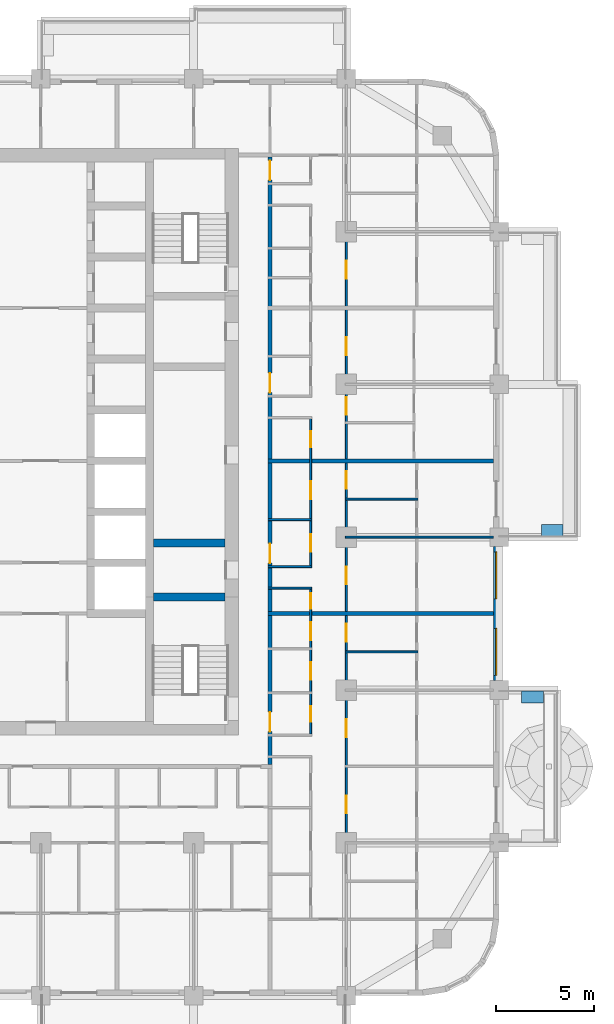
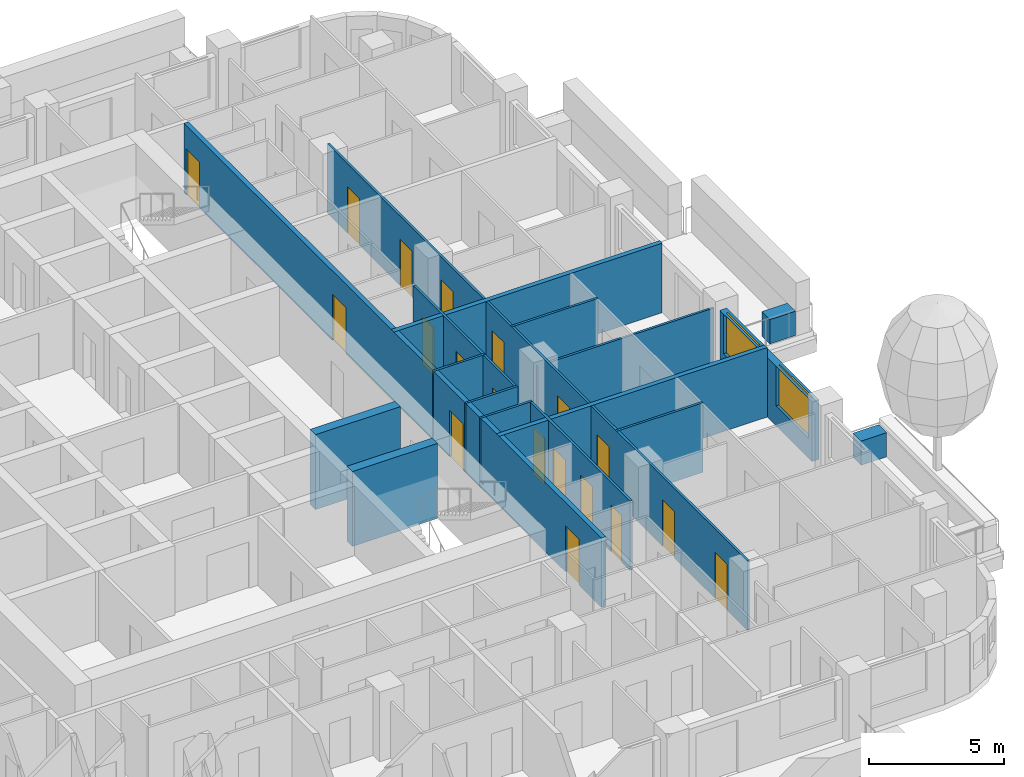
# One storey, part 9 of 19: 19 doors, 17 walls, 2 windows, 21 openings.
"""IFC4 building model written with IfcOpenShell, lengths in metres."""

from ifc_helpers import new_model, si_unit, direction, frame, frame_2d, origin, place, context, subcontext, project, spatial, rectangle, extrude, material, layer, layer_set, type_object, element, fill, save


model = new_model("IFC4")

# Units and contexts
model_context = context("Model", 3, precision=1e-05, world=origin(), true_north=direction((0.0, 1.0)))
body_context = subcontext(model_context, "Body", "Model", "MODEL_VIEW")
ifc_project = project(units=[si_unit("LENGTHUNIT", "METRE"), si_unit("AREAUNIT", "SQUARE_METRE"), si_unit("VOLUMEUNIT", "CUBIC_METRE"), si_unit("PLANEANGLEUNIT", "RADIAN"), si_unit("MASSUNIT", "GRAM", prefix="KILO")], contexts=[model_context])

# Site, building, storey
site_placement = place(None, origin())
site = spatial("IfcSite", under=ifc_project, at=site_placement, CompositionType="ELEMENT")
building_placement = place(site_placement, origin())
building = spatial("IfcBuilding", under=site, at=building_placement, Name="Ludao Terraces", CompositionType="ELEMENT")
storey_placement = place(building_placement, frame((0.0, 0.0, 81.800048828125)))
storey = spatial("IfcBuildingStorey", under=building, at=storey_placement, Name="L22", CompositionType="ELEMENT", Elevation=81.800048828125)

# Walls
ifc_material_1 = material(Name="Concrete C40", Category="concrete")
ifc_layer_1 = layer(ifc_material_1, 0.60009765625)
ifc_layer_set_1 = layer_set([ifc_layer_1], Name="ENV Planter trough 600")
wall_type_1 = type_object("IfcWallType", Name="ENV Planter trough 600", PredefinedType="USERDEFINED", material=ifc_layer_set_1)
for number, where, z_axis, x_axis, name in (
    (1, (110.64990234375, 56.85009765625, 0.0), (0.0, 0.0, 1.0), (-1.0, 0.0, 0.0), "PL-L22-E1-SB"),
    (2, (111.64990234375, 65.35009765625, 0.0), (0.0, 0.0, 1.0), (-1.0, 0.0, 0.0), "PL-L22-E3-SA"),
):
    element("IfcWall", number, at=place(storey_placement, frame(where, z_axis=z_axis, x_axis=x_axis)), inside=storey, type_object=wall_type_1, Name=name, ObjectType="PLANTER", PredefinedType="USERDEFINED", context=body_context, shape_type="SweptSolid", body=[
        extrude(rectangle(XDim=1.099853515625, YDim=0.60009765625, at=frame_2d((0.5498046875, 0.0))), origin(), (0.0, 0.0, 1.0), 1.099853515625),
    ])

# Wall, openings, windows
ifc_material_2 = material(Name="Granite cladding", Category="masonry")
ifc_layer_2 = layer(ifc_material_2, 0.0400390625, Category="stone")
ifc_material_3 = material(Name="Mineral wool")
ifc_layer_3 = layer(ifc_material_3, 0.06005859375)
ifc_layer_4 = layer(ifc_material_1, 0.199951171875, Category="concrete")
ifc_layer_set_2 = layer_set([ifc_layer_2, ifc_layer_3, ifc_layer_4], Name="ENV Stone-clad wall 300")
wall_type_2 = type_object("IfcWallType", Name="ENV Stone-clad wall 300", PredefinedType="SOLIDWALL", material=ifc_layer_set_2)
wall_1_placement = place(storey_placement, frame((108.25, 57.675048828125, 0.0), z_axis=(0.0, 0.0, 1.0), x_axis=(0.0, 1.0, 0.0)))
wall_1 = element("IfcWall", 3, at=wall_1_placement, inside=storey, type_object=wall_type_2, Name="EW-L22-E3", PredefinedType="SOLIDWALL", context=body_context, shape_type="SweptSolid", body=[
    extrude(rectangle(XDim=6.849853515625, YDim=0.300048828125, at=frame_2d((3.4248046875, 0.0))), origin(), (0.0, 0.0, 1.0), 2.699951171875),
])
opening_1_placement = place(wall_1_placement, frame((0.27490234375, 0.0, 0.89990234375)))
opening_1 = element("IfcOpeningElement", 4, at=opening_1_placement, cuts=wall_1, Name="Opening W1", PredefinedType="OPENING", context=body_context, shape_type="SweptSolid", body=[
    extrude(rectangle(XDim=2.39990234375, YDim=1.800048828125, at=frame_2d((1.199951171875, 0.89990234375))), frame((0.0, 0.16015625, 0.0), z_axis=(0.0, -1.0, 0.0), x_axis=(1.0, 0.0, 0.0)), (0.0, 0.0, 1.0), 0.320068359375),
])
opening_2_placement = place(wall_1_placement, frame((4.175048828125, 0.0, 0.89990234375)))
opening_2 = element("IfcOpeningElement", 5, at=opening_2_placement, cuts=wall_1, Name="Opening W1", PredefinedType="OPENING", context=body_context, shape_type="SweptSolid", body=[
    extrude(rectangle(XDim=2.39990234375, YDim=1.800048828125, at=frame_2d((1.199951171875, 0.89990234375))), frame((0.0, 0.16015625, 0.0), z_axis=(0.0, -1.0, 0.0), x_axis=(1.0, 0.0, 0.0)), (0.0, 0.0, 1.0), 0.320068359375),
])
ifc_material_4 = material(Name="Clear glass in aluminium frame", Category="aluminium")
ifc_layer_5 = layer(ifc_material_4, 0.06005859375)
ifc_layer_set_3 = layer_set([ifc_layer_5], Name="ENV Window W1 2400x1800")
window_type = type_object("IfcWindowType", Name="ENV Window W1 2400x1800", PartitioningType="DOUBLE_PANEL_VERTICAL", PredefinedType="WINDOW", material=ifc_layer_set_3)
window_1_placement = place(opening_1_placement, origin())
window_1 = element("IfcWindow", 6, at=window_1_placement, inside=storey, type_object=window_type, Name="W-L22-E3-1", OverallHeight=1.800048828125, OverallWidth=2.39990234375, PartitioningType="DOUBLE_PANEL_VERTICAL", PredefinedType="WINDOW", context=body_context, shape_type="SweptSolid", body=[
    extrude(rectangle(XDim=2.39990234375, YDim=1.800048828125, at=frame_2d((1.199951171875, 0.89990234375))), frame((0.0, 0.030029296875, 0.0), z_axis=(0.0, -1.0, 0.0), x_axis=(1.0, 0.0, 0.0)), (0.0, 0.0, 1.0), 0.06005859375),
])
fill(opening_1, window_1)
window_2_placement = place(opening_2_placement, origin())
window_2 = element("IfcWindow", 7, at=window_2_placement, inside=storey, type_object=window_type, Name="W-L22-E3-2", OverallHeight=1.800048828125, OverallWidth=2.39990234375, PartitioningType="DOUBLE_PANEL_VERTICAL", PredefinedType="WINDOW", context=body_context, shape_type="SweptSolid", body=[
    extrude(rectangle(XDim=2.39990234375, YDim=1.800048828125, at=frame_2d((1.199951171875, 0.89990234375))), frame((0.0, 0.030029296875, 0.0), z_axis=(0.0, -1.0, 0.0), x_axis=(1.0, 0.0, 0.0)), (0.0, 0.0, 1.0), 0.06005859375),
])
fill(opening_2, window_2)

# Wall, openings, doors
ifc_material_5 = material(Name="Autoclaved aerated concrete block B06 A3.5", Category="concrete")
ifc_layer_6 = layer(ifc_material_5, 0.199951171875)
ifc_layer_set_4 = layer_set([ifc_layer_6], Name="INT Entrance wall 200")
wall_type_3 = type_object("IfcWallType", Name="INT Entrance wall 200", PredefinedType="PARTITIONING", material=ifc_layer_set_4)
wall_2_placement = place(storey_placement, frame((96.699951171875, 53.400146484375, 0.0), z_axis=(0.0, 0.0, 1.0), x_axis=(0.0, 1.0, 0.0)))
wall_2 = element("IfcWall", 8, at=wall_2_placement, inside=storey, type_object=wall_type_3, Name="PW-L22-PW116", PredefinedType="PARTITIONING", context=body_context, shape_type="SweptSolid", body=[
    extrude(rectangle(XDim=31.0, YDim=0.199951171875, at=frame_2d((15.5, 0.0))), origin(), (0.0, 0.0, 1.0), 3.14990234375),
])
opening_3_placement = place(wall_2_placement, frame((1.675048828125, 0.0, 0.0)))
opening_3 = element("IfcOpeningElement", 9, at=opening_3_placement, cuts=wall_2, Name="Opening R06-056", PredefinedType="OPENING", context=body_context, shape_type="SweptSolid", body=[
    extrude(rectangle(XDim=1.0, YDim=2.10009765625, at=frame_2d((0.5, 1.050048828125))), frame((0.0, 0.10986328125, 0.0), z_axis=(0.0, -1.0, 0.0), x_axis=(1.0, 0.0, 0.0)), (0.0, 0.0, 1.0), 0.219970703125),
])
opening_4_placement = place(wall_2_placement, frame((10.27490234375, 0.0, 0.0)))
opening_4 = element("IfcOpeningElement", 10, at=opening_4_placement, cuts=wall_2, Name="Opening R06-083", PredefinedType="OPENING", context=body_context, shape_type="SweptSolid", body=[
    extrude(rectangle(XDim=1.0, YDim=2.10009765625, at=frame_2d((0.5, 1.050048828125))), frame((0.0, 0.10986328125, 0.0), z_axis=(0.0, -1.0, 0.0), x_axis=(1.0, 0.0, 0.0)), (0.0, 0.0, 1.0), 0.219970703125),
])
opening_5_placement = place(wall_2_placement, frame((18.97509765625, 0.0, 0.0)))
opening_5 = element("IfcOpeningElement", 11, at=opening_5_placement, cuts=wall_2, Name="Opening R06-112", PredefinedType="OPENING", context=body_context, shape_type="SweptSolid", body=[
    extrude(rectangle(XDim=1.0, YDim=2.10009765625, at=frame_2d((0.5, 1.050048828125))), frame((0.0, 0.10986328125, 0.0), z_axis=(0.0, -1.0, 0.0), x_axis=(1.0, 0.0, 0.0)), (0.0, 0.0, 1.0), 0.219970703125),
])
opening_6_placement = place(wall_2_placement, frame((29.824951171875, 0.0, 0.0)))
opening_6 = element("IfcOpeningElement", 12, at=opening_6_placement, cuts=wall_2, Name="Opening R06-152", PredefinedType="OPENING", context=body_context, shape_type="SweptSolid", body=[
    extrude(rectangle(XDim=1.0, YDim=2.10009765625, at=frame_2d((0.5, 1.050048828125))), frame((0.0, 0.10986328125, 0.0), z_axis=(0.0, -1.0, 0.0), x_axis=(1.0, 0.0, 0.0)), (0.0, 0.0, 1.0), 0.219970703125),
])
ifc_material_6 = material(Name="Steel Q235", Category="steel")
door_type_1 = type_object("IfcDoorType", Name="INT Flat entrance door 1000", OperationType="SINGLE_SWING_LEFT", PredefinedType="DOOR", material=ifc_material_6)
door_1_placement = place(opening_3_placement, origin())
door_1 = element("IfcDoor", 13, at=door_1_placement, inside=storey, type_object=door_type_1, Name="DOOR 056", OperationType="SINGLE_SWING_LEFT", OverallHeight=2.10009765625, OverallWidth=1.0, PredefinedType="DOOR", context=body_context, shape_type="SweptSolid", body=[
    extrude(rectangle(XDim=1.0, YDim=2.10009765625, at=frame_2d((0.5, 1.050048828125))), frame((0.0, 0.02490234375, 0.0), z_axis=(0.0, -1.0, 0.0), x_axis=(1.0, 0.0, 0.0)), (0.0, 0.0, 1.0), 0.050048828125),
])
fill(opening_3, door_1)
door_2_placement = place(opening_4_placement, origin())
door_2 = element("IfcDoor", 14, at=door_2_placement, inside=storey, type_object=door_type_1, Name="DOOR 083", OperationType="SINGLE_SWING_LEFT", OverallHeight=2.10009765625, OverallWidth=1.0, PredefinedType="DOOR", context=body_context, shape_type="SweptSolid", body=[
    extrude(rectangle(XDim=1.0, YDim=2.10009765625, at=frame_2d((0.5, 1.050048828125))), frame((0.0, 0.02490234375, 0.0), z_axis=(0.0, -1.0, 0.0), x_axis=(1.0, 0.0, 0.0)), (0.0, 0.0, 1.0), 0.050048828125),
])
fill(opening_4, door_2)
door_3_placement = place(opening_5_placement, origin())
door_3 = element("IfcDoor", 15, at=door_3_placement, inside=storey, type_object=door_type_1, Name="DOOR 112", OperationType="SINGLE_SWING_LEFT", OverallHeight=2.10009765625, OverallWidth=1.0, PredefinedType="DOOR", context=body_context, shape_type="SweptSolid", body=[
    extrude(rectangle(XDim=1.0, YDim=2.10009765625, at=frame_2d((0.5, 1.050048828125))), frame((0.0, 0.02490234375, 0.0), z_axis=(0.0, -1.0, 0.0), x_axis=(1.0, 0.0, 0.0)), (0.0, 0.0, 1.0), 0.050048828125),
])
fill(opening_5, door_3)
door_4_placement = place(opening_6_placement, origin())
door_4 = element("IfcDoor", 16, at=door_4_placement, inside=storey, type_object=door_type_1, Name="DOOR 152", OperationType="SINGLE_SWING_LEFT", OverallHeight=2.10009765625, OverallWidth=1.0, PredefinedType="DOOR", context=body_context, shape_type="SweptSolid", body=[
    extrude(rectangle(XDim=1.0, YDim=2.10009765625, at=frame_2d((0.5, 1.050048828125))), frame((0.0, 0.02490234375, 0.0), z_axis=(0.0, -1.0, 0.0), x_axis=(1.0, 0.0, 0.0)), (0.0, 0.0, 1.0), 0.050048828125),
])
fill(opening_6, door_4)

# Walls
ifc_material_7 = material(Name="Gypsum plasterboard", Category="gypsum")
ifc_layer_7 = layer(ifc_material_7, 0.012451171875, Category="gypsum")
ifc_layer_8 = layer(ifc_material_3, 0.06005859375, Name="insulation")
ifc_layer_9 = layer(ifc_material_6, 0.014892578125, Name="stud")
ifc_layer_10 = layer(ifc_material_7, 0.012451171875, Category="gypsum")
ifc_layer_set_5 = layer_set([ifc_layer_7, ifc_layer_8, ifc_layer_9, ifc_layer_10], Name="INT Partition 100")
wall_type_4 = type_object("IfcWallType", Name="INT Partition 100", PredefinedType="PARTITIONING", material=ifc_layer_set_5)
wall_3_placement = place(storey_placement, frame((100.550048828125, 59.14990234375, 0.0), z_axis=(0.0, 0.0, 1.0), x_axis=(1.0, 0.0, 0.0)))
element("IfcWall", 17, at=wall_3_placement, inside=storey, type_object=wall_type_4, Name="PW-L22-PW031", PredefinedType="PARTITIONING", context=body_context, shape_type="SweptSolid", body=[
    extrude(rectangle(XDim=3.699951171875, YDim=0.10009765625, at=frame_2d((1.85009765625, 0.0))), origin(), (0.0, 0.0, 1.0), 3.14990234375),
])
for number, where, z_axis, x_axis, name in (
    (18, (96.60009765625, 62.39990234375, 0.0), (0.0, 0.0, 1.0), (1.0, 0.0, 0.0), "PW-L22-PW036"),
    (19, (96.60009765625, 63.5, 0.0), (0.0, 0.0, 1.0), (1.0, 0.0, 0.0), "PW-L22-PW038"),
):
    element("IfcWall", number, at=place(storey_placement, frame(where, z_axis=z_axis, x_axis=x_axis)), inside=storey, type_object=wall_type_4, Name=name, PredefinedType="PARTITIONING", context=body_context, shape_type="SweptSolid", body=[
        extrude(rectangle(XDim=2.219970703125, YDim=0.10009765625, at=frame_2d((1.10986328125, 0.0))), origin(), (0.0, 0.0, 1.0), 3.14990234375),
    ])
wall_4_placement = place(storey_placement, frame((100.550048828125, 65.0, 0.0), z_axis=(0.0, 0.0, 1.0), x_axis=(1.0, 0.0, 0.0)))
element("IfcWall", 20, at=wall_4_placement, inside=storey, type_object=wall_type_4, Name="PW-L22-PW041", PredefinedType="PARTITIONING", context=body_context, shape_type="SweptSolid", body=[
    extrude(rectangle(XDim=7.550048828125, YDim=0.10009765625, at=frame_2d((3.77490234375, 0.0))), origin(), (0.0, 0.0, 1.0), 2.5498046875),
])
wall_5_placement = place(storey_placement, frame((96.60009765625, 65.89990234375, 0.0), z_axis=(0.0, 0.0, 1.0), x_axis=(1.0, 0.0, 0.0)))
element("IfcWall", 21, at=wall_5_placement, inside=storey, type_object=wall_type_4, Name="PW-L22-PW043", PredefinedType="PARTITIONING", context=body_context, shape_type="SweptSolid", body=[
    extrude(rectangle(XDim=2.219970703125, YDim=0.10009765625, at=frame_2d((1.10986328125, 0.0))), origin(), (0.0, 0.0, 1.0), 3.14990234375),
])
wall_6_placement = place(storey_placement, frame((100.550048828125, 66.949951171875, 0.0), z_axis=(0.0, 0.0, 1.0), x_axis=(1.0, 0.0, 0.0)))
element("IfcWall", 22, at=wall_6_placement, inside=storey, type_object=wall_type_4, Name="PW-L22-PW046", PredefinedType="PARTITIONING", context=body_context, shape_type="SweptSolid", body=[
    extrude(rectangle(XDim=3.699951171875, YDim=0.10009765625, at=frame_2d((1.85009765625, 0.0))), origin(), (0.0, 0.0, 1.0), 3.14990234375),
])

# Wall, openings, doors
wall_7_placement = place(storey_placement, frame((98.77001953125, 54.9501953125, 0.0), z_axis=(0.0, 0.0, 1.0), x_axis=(0.0, 1.0, 0.0)))
wall_7 = element("IfcWall", 23, at=wall_7_placement, inside=storey, type_object=wall_type_4, Name="PW-L22-PW119", PredefinedType="PARTITIONING", context=body_context, shape_type="SweptSolid", body=[
    extrude(rectangle(XDim=7.39990234375, YDim=0.10009765625, at=frame_2d((3.699951171875, 0.0))), origin(), (0.0, 0.0, 1.0), 3.14990234375),
])
opening_7_placement = place(wall_7_placement, frame((0.625, 0.0, 0.0)))
opening_7 = element("IfcOpeningElement", 24, at=opening_7_placement, cuts=wall_7, Name="Opening R06-058", PredefinedType="OPENING", context=body_context, shape_type="SweptSolid", body=[
    extrude(rectangle(XDim=0.800048828125, YDim=2.10009765625, at=frame_2d((0.39990234375, 1.050048828125))), frame((0.0, 0.06005859375, 0.0), z_axis=(0.0, -1.0, 0.0), x_axis=(1.0, 0.0, 0.0)), (0.0, 0.0, 1.0), 0.1201171875),
])
opening_8_placement = place(wall_7_placement, frame((2.77490234375, 0.0, 0.0)))
opening_8 = element("IfcOpeningElement", 25, at=opening_8_placement, cuts=wall_7, Name="Opening R06-064", PredefinedType="OPENING", context=body_context, shape_type="SweptSolid", body=[
    extrude(rectangle(XDim=0.89990234375, YDim=2.10009765625, at=frame_2d((0.449951171875, 1.050048828125))), frame((0.0, 0.06005859375, 0.0), z_axis=(0.0, -1.0, 0.0), x_axis=(1.0, 0.0, 0.0)), (0.0, 0.0, 1.0), 0.1201171875),
])
opening_9_placement = place(wall_7_placement, frame((4.7998046875, 0.0, 0.0)))
opening_9 = element("IfcOpeningElement", 26, at=opening_9_placement, cuts=wall_7, Name="Opening R06-071", PredefinedType="OPENING", context=body_context, shape_type="SweptSolid", body=[
    extrude(rectangle(XDim=0.89990234375, YDim=2.10009765625, at=frame_2d((0.449951171875, 1.050048828125))), frame((0.0, 0.06005859375, 0.0), z_axis=(0.0, -1.0, 0.0), x_axis=(1.0, 0.0, 0.0)), (0.0, 0.0, 1.0), 0.1201171875),
])
opening_10_placement = place(wall_7_placement, frame((6.39990234375, 0.0, 0.0)))
opening_10 = element("IfcOpeningElement", 27, at=opening_10_placement, cuts=wall_7, Name="Opening R06-073", PredefinedType="OPENING", context=body_context, shape_type="SweptSolid", body=[
    extrude(rectangle(XDim=0.800048828125, YDim=2.10009765625, at=frame_2d((0.39990234375, 1.050048828125))), frame((0.0, 0.06005859375, 0.0), z_axis=(0.0, -1.0, 0.0), x_axis=(1.0, 0.0, 0.0)), (0.0, 0.0, 1.0), 0.1201171875),
])
ifc_material_8 = material(Name="Timber door leaf", Category="wood")
door_type_2 = type_object("IfcDoorType", Name="INT Bathroom door 900", OperationType="SINGLE_SWING_LEFT", PredefinedType="DOOR", material=ifc_material_8)
door_5_placement = place(opening_8_placement, origin())
door_5 = element("IfcDoor", 28, at=door_5_placement, inside=storey, type_object=door_type_2, Name="DOOR 064", OperationType="SINGLE_SWING_RIGHT", OverallHeight=2.10009765625, OverallWidth=0.89990234375, PredefinedType="DOOR", context=body_context, shape_type="SweptSolid", body=[
    extrude(rectangle(XDim=0.89990234375, YDim=2.10009765625, at=frame_2d((0.449951171875, 1.050048828125))), frame((0.0, 0.02490234375, 0.0), z_axis=(0.0, -1.0, 0.0), x_axis=(1.0, 0.0, 0.0)), (0.0, 0.0, 1.0), 0.050048828125),
])
fill(opening_8, door_5)
door_6_placement = place(opening_9_placement, origin())
door_6 = element("IfcDoor", 29, at=door_6_placement, inside=storey, type_object=door_type_2, Name="DOOR 071", OperationType="SINGLE_SWING_RIGHT", OverallHeight=2.10009765625, OverallWidth=0.89990234375, PredefinedType="DOOR", context=body_context, shape_type="SweptSolid", body=[
    extrude(rectangle(XDim=0.89990234375, YDim=2.10009765625, at=frame_2d((0.449951171875, 1.050048828125))), frame((0.0, 0.02490234375, 0.0), z_axis=(0.0, -1.0, 0.0), x_axis=(1.0, 0.0, 0.0)), (0.0, 0.0, 1.0), 0.050048828125),
])
fill(opening_9, door_6)
door_type_3 = type_object("IfcDoorType", Name="INT Store door 800", OperationType="SINGLE_SWING_LEFT", PredefinedType="DOOR", material=ifc_material_8)
door_7_placement = place(opening_7_placement, origin())
door_7 = element("IfcDoor", 30, at=door_7_placement, inside=storey, type_object=door_type_3, Name="DOOR 058", OperationType="SINGLE_SWING_RIGHT", OverallHeight=2.10009765625, OverallWidth=0.800048828125, PredefinedType="DOOR", context=body_context, shape_type="SweptSolid", body=[
    extrude(rectangle(XDim=0.800048828125, YDim=2.10009765625, at=frame_2d((0.39990234375, 1.050048828125))), frame((0.0, 0.02490234375, 0.0), z_axis=(0.0, -1.0, 0.0), x_axis=(1.0, 0.0, 0.0)), (0.0, 0.0, 1.0), 0.050048828125),
])
fill(opening_7, door_7)
door_8_placement = place(opening_10_placement, origin())
door_8 = element("IfcDoor", 31, at=door_8_placement, inside=storey, type_object=door_type_3, Name="DOOR 073", OperationType="SINGLE_SWING_LEFT", OverallHeight=2.10009765625, OverallWidth=0.800048828125, PredefinedType="DOOR", context=body_context, shape_type="SweptSolid", body=[
    extrude(rectangle(XDim=0.800048828125, YDim=2.10009765625, at=frame_2d((0.39990234375, 1.050048828125))), frame((0.0, 0.02490234375, 0.0), z_axis=(0.0, -1.0, 0.0), x_axis=(1.0, 0.0, 0.0)), (0.0, 0.0, 1.0), 0.050048828125),
])
fill(opening_10, door_8)

wall_8_placement = place(storey_placement, frame((98.77001953125, 63.550048828125, 0.0), z_axis=(0.0, 0.0, 1.0), x_axis=(0.0, 1.0, 0.0)))
wall_8 = element("IfcWall", 32, at=wall_8_placement, inside=storey, type_object=wall_type_4, Name="PW-L22-PW120", PredefinedType="PARTITIONING", context=body_context, shape_type="SweptSolid", body=[
    extrude(rectangle(XDim=7.5, YDim=0.10009765625, at=frame_2d((3.75, 0.0))), origin(), (0.0, 0.0, 1.0), 3.14990234375),
])
opening_11_placement = place(wall_8_placement, frame((0.699951171875, 0.0, 0.0)))
opening_11 = element("IfcOpeningElement", 33, at=opening_11_placement, cuts=wall_8, Name="Opening R06-085", PredefinedType="OPENING", context=body_context, shape_type="SweptSolid", body=[
    extrude(rectangle(XDim=0.89990234375, YDim=2.10009765625, at=frame_2d((0.449951171875, 1.050048828125))), frame((0.0, 0.06005859375, 0.0), z_axis=(0.0, -1.0, 0.0), x_axis=(1.0, 0.0, 0.0)), (0.0, 0.0, 1.0), 0.1201171875),
])
opening_12_placement = place(wall_8_placement, frame((3.39990234375, 0.0, 0.0)))
opening_12 = element("IfcOpeningElement", 34, at=opening_12_placement, cuts=wall_8, Name="Opening R06-090", PredefinedType="OPENING", context=body_context, shape_type="SweptSolid", body=[
    extrude(rectangle(XDim=0.89990234375, YDim=2.10009765625, at=frame_2d((0.449951171875, 1.050048828125))), frame((0.0, 0.06005859375, 0.0), z_axis=(0.0, -1.0, 0.0), x_axis=(1.0, 0.0, 0.0)), (0.0, 0.0, 1.0), 0.1201171875),
])
opening_13_placement = place(wall_8_placement, frame((6.050048828125, 0.0, 0.0)))
opening_13 = element("IfcOpeningElement", 35, at=opening_13_placement, cuts=wall_8, Name="Opening R06-102", PredefinedType="OPENING", context=body_context, shape_type="SweptSolid", body=[
    extrude(rectangle(XDim=0.800048828125, YDim=2.10009765625, at=frame_2d((0.39990234375, 1.050048828125))), frame((0.0, 0.06005859375, 0.0), z_axis=(0.0, -1.0, 0.0), x_axis=(1.0, 0.0, 0.0)), (0.0, 0.0, 1.0), 0.1201171875),
])
door_9_placement = place(opening_11_placement, origin())
door_9 = element("IfcDoor", 36, at=door_9_placement, inside=storey, type_object=door_type_2, Name="DOOR 085", OperationType="SINGLE_SWING_LEFT", OverallHeight=2.10009765625, OverallWidth=0.89990234375, PredefinedType="DOOR", context=body_context, shape_type="SweptSolid", body=[
    extrude(rectangle(XDim=0.89990234375, YDim=2.10009765625, at=frame_2d((0.449951171875, 1.050048828125))), frame((0.0, 0.02490234375, 0.0), z_axis=(0.0, -1.0, 0.0), x_axis=(1.0, 0.0, 0.0)), (0.0, 0.0, 1.0), 0.050048828125),
])
fill(opening_11, door_9)
door_type_4 = type_object("IfcDoorType", Name="INT Room door 900", OperationType="SINGLE_SWING_LEFT", PredefinedType="DOOR", material=ifc_material_8)
door_10_placement = place(opening_12_placement, origin())
door_10 = element("IfcDoor", 37, at=door_10_placement, inside=storey, type_object=door_type_4, Name="DOOR 090", OperationType="SINGLE_SWING_LEFT", OverallHeight=2.10009765625, OverallWidth=0.89990234375, PredefinedType="DOOR", context=body_context, shape_type="SweptSolid", body=[
    extrude(rectangle(XDim=0.89990234375, YDim=2.10009765625, at=frame_2d((0.449951171875, 1.050048828125))), frame((0.0, 0.02490234375, 0.0), z_axis=(0.0, -1.0, 0.0), x_axis=(1.0, 0.0, 0.0)), (0.0, 0.0, 1.0), 0.050048828125),
])
fill(opening_12, door_10)
door_11_placement = place(opening_13_placement, origin())
door_11 = element("IfcDoor", 38, at=door_11_placement, inside=storey, type_object=door_type_3, Name="DOOR 102", OperationType="SINGLE_SWING_LEFT", OverallHeight=2.10009765625, OverallWidth=0.800048828125, PredefinedType="DOOR", context=body_context, shape_type="SweptSolid", body=[
    extrude(rectangle(XDim=0.800048828125, YDim=2.10009765625, at=frame_2d((0.39990234375, 1.050048828125))), frame((0.0, 0.02490234375, 0.0), z_axis=(0.0, -1.0, 0.0), x_axis=(1.0, 0.0, 0.0)), (0.0, 0.0, 1.0), 0.050048828125),
])
fill(opening_13, door_11)

wall_9_placement = place(storey_placement, frame((100.60009765625, 49.39990234375, 0.0), z_axis=(0.0, 0.0, 1.0), x_axis=(0.0, 1.0, 0.0)))
wall_9 = element("IfcWall", 39, at=wall_9_placement, inside=storey, type_object=wall_type_4, Name="PW-L22-PW123-2", PredefinedType="PARTITIONING", context=body_context, shape_type="SweptSolid", body=[
    extrude(rectangle(XDim=31.2001953125, YDim=0.10009765625, at=frame_2d((15.60009765625, 0.0))), origin(), (0.0, 0.0, 1.0), 3.14990234375),
])
opening_14_placement = place(wall_9_placement, frame((1.500244140625, 0.0, 0.0)))
opening_14 = element("IfcOpeningElement", 40, at=opening_14_placement, cuts=wall_9, Name="Opening R06-042", PredefinedType="OPENING", context=body_context, shape_type="SweptSolid", body=[
    extrude(rectangle(XDim=0.89990234375, YDim=2.10009765625, at=frame_2d((0.449951171875, 1.050048828125))), frame((0.0, 0.06005859375, 0.0), z_axis=(0.0, -1.0, 0.0), x_axis=(1.0, 0.0, 0.0)), (0.0, 0.0, 1.0), 0.1201171875),
])
opening_15_placement = place(wall_9_placement, frame((5.400146484375, 0.0, 0.0)))
opening_15 = element("IfcOpeningElement", 41, at=opening_15_placement, cuts=wall_9, Name="Opening R06-054", PredefinedType="OPENING", context=body_context, shape_type="SweptSolid", body=[
    extrude(rectangle(XDim=0.89990234375, YDim=2.10009765625, at=frame_2d((0.449951171875, 1.050048828125))), frame((0.0, 0.06005859375, 0.0), z_axis=(0.0, -1.0, 0.0), x_axis=(1.0, 0.0, 0.0)), (0.0, 0.0, 1.0), 0.1201171875),
])
opening_16_placement = place(wall_9_placement, frame((10.275146484375, 0.0, 0.0)))
opening_16 = element("IfcOpeningElement", 42, at=opening_16_placement, cuts=wall_9, Name="Opening R06-069", PredefinedType="OPENING", context=body_context, shape_type="SweptSolid", body=[
    extrude(rectangle(XDim=0.89990234375, YDim=2.10009765625, at=frame_2d((0.449951171875, 1.050048828125))), frame((0.0, 0.06005859375, 0.0), z_axis=(0.0, -1.0, 0.0), x_axis=(1.0, 0.0, 0.0)), (0.0, 0.0, 1.0), 0.1201171875),
])
opening_17_placement = place(wall_9_placement, frame((13.2001953125, 0.0, 0.0)))
opening_17 = element("IfcOpeningElement", 43, at=opening_17_placement, cuts=wall_9, Name="Opening R06-079", PredefinedType="OPENING", context=body_context, shape_type="SweptSolid", body=[
    extrude(rectangle(XDim=0.89990234375, YDim=2.10009765625, at=frame_2d((0.449951171875, 1.050048828125))), frame((0.0, 0.06005859375, 0.0), z_axis=(0.0, -1.0, 0.0), x_axis=(1.0, 0.0, 0.0)), (0.0, 0.0, 1.0), 0.1201171875),
])
opening_18_placement = place(wall_9_placement, frame((18.0751953125, 0.0, 0.0)))
opening_18 = element("IfcOpeningElement", 44, at=opening_18_placement, cuts=wall_9, Name="Opening R06-096", PredefinedType="OPENING", context=body_context, shape_type="SweptSolid", body=[
    extrude(rectangle(XDim=0.89990234375, YDim=2.10009765625, at=frame_2d((0.449951171875, 1.050048828125))), frame((0.0, 0.06005859375, 0.0), z_axis=(0.0, -1.0, 0.0), x_axis=(1.0, 0.0, 0.0)), (0.0, 0.0, 1.0), 0.1201171875),
])
opening_19_placement = place(wall_9_placement, frame((21.85009765625, 0.0, 0.0)))
opening_19 = element("IfcOpeningElement", 45, at=opening_19_placement, cuts=wall_9, Name="Opening R06-106", PredefinedType="OPENING", context=body_context, shape_type="SweptSolid", body=[
    extrude(rectangle(XDim=0.89990234375, YDim=2.10009765625, at=frame_2d((0.449951171875, 1.050048828125))), frame((0.0, 0.06005859375, 0.0), z_axis=(0.0, -1.0, 0.0), x_axis=(1.0, 0.0, 0.0)), (0.0, 0.0, 1.0), 0.1201171875),
])
opening_20_placement = place(wall_9_placement, frame((24.900146484375, 0.0, 0.0)))
opening_20 = element("IfcOpeningElement", 46, at=opening_20_placement, cuts=wall_9, Name="Opening R06-116", PredefinedType="OPENING", context=body_context, shape_type="SweptSolid", body=[
    extrude(rectangle(XDim=0.89990234375, YDim=2.10009765625, at=frame_2d((0.449951171875, 1.050048828125))), frame((0.0, 0.06005859375, 0.0), z_axis=(0.0, -1.0, 0.0), x_axis=(1.0, 0.0, 0.0)), (0.0, 0.0, 1.0), 0.1201171875),
])
opening_21_placement = place(wall_9_placement, frame((28.80029296875, 0.0, 0.0)))
opening_21 = element("IfcOpeningElement", 47, at=opening_21_placement, cuts=wall_9, Name="Opening R06-135", PredefinedType="OPENING", context=body_context, shape_type="SweptSolid", body=[
    extrude(rectangle(XDim=0.89990234375, YDim=2.10009765625, at=frame_2d((0.449951171875, 1.050048828125))), frame((0.0, 0.06005859375, 0.0), z_axis=(0.0, -1.0, 0.0), x_axis=(1.0, 0.0, 0.0)), (0.0, 0.0, 1.0), 0.1201171875),
])
door_12_placement = place(opening_14_placement, origin())
door_12 = element("IfcDoor", 48, at=door_12_placement, inside=storey, type_object=door_type_4, Name="DOOR 042", OperationType="SINGLE_SWING_RIGHT", OverallHeight=2.10009765625, OverallWidth=0.89990234375, PredefinedType="DOOR", context=body_context, shape_type="SweptSolid", body=[
    extrude(rectangle(XDim=0.89990234375, YDim=2.10009765625, at=frame_2d((0.449951171875, 1.050048828125))), frame((0.0, 0.02490234375, 0.0), z_axis=(0.0, -1.0, 0.0), x_axis=(1.0, 0.0, 0.0)), (0.0, 0.0, 1.0), 0.050048828125),
])
fill(opening_14, door_12)
door_13_placement = place(opening_15_placement, origin())
door_13 = element("IfcDoor", 49, at=door_13_placement, inside=storey, type_object=door_type_4, Name="DOOR 054", OperationType="SINGLE_SWING_RIGHT", OverallHeight=2.10009765625, OverallWidth=0.89990234375, PredefinedType="DOOR", context=body_context, shape_type="SweptSolid", body=[
    extrude(rectangle(XDim=0.89990234375, YDim=2.10009765625, at=frame_2d((0.449951171875, 1.050048828125))), frame((0.0, 0.02490234375, 0.0), z_axis=(0.0, -1.0, 0.0), x_axis=(1.0, 0.0, 0.0)), (0.0, 0.0, 1.0), 0.050048828125),
])
fill(opening_15, door_13)
door_14_placement = place(opening_16_placement, origin())
door_14 = element("IfcDoor", 50, at=door_14_placement, inside=storey, type_object=door_type_4, Name="DOOR 069", OperationType="SINGLE_SWING_RIGHT", OverallHeight=2.10009765625, OverallWidth=0.89990234375, PredefinedType="DOOR", context=body_context, shape_type="SweptSolid", body=[
    extrude(rectangle(XDim=0.89990234375, YDim=2.10009765625, at=frame_2d((0.449951171875, 1.050048828125))), frame((0.0, 0.02490234375, 0.0), z_axis=(0.0, -1.0, 0.0), x_axis=(1.0, 0.0, 0.0)), (0.0, 0.0, 1.0), 0.050048828125),
])
fill(opening_16, door_14)
door_15_placement = place(opening_17_placement, origin())
door_15 = element("IfcDoor", 51, at=door_15_placement, inside=storey, type_object=door_type_4, Name="DOOR 079", OperationType="SINGLE_SWING_RIGHT", OverallHeight=2.10009765625, OverallWidth=0.89990234375, PredefinedType="DOOR", context=body_context, shape_type="SweptSolid", body=[
    extrude(rectangle(XDim=0.89990234375, YDim=2.10009765625, at=frame_2d((0.449951171875, 1.050048828125))), frame((0.0, 0.02490234375, 0.0), z_axis=(0.0, -1.0, 0.0), x_axis=(1.0, 0.0, 0.0)), (0.0, 0.0, 1.0), 0.050048828125),
])
fill(opening_17, door_15)
door_16_placement = place(opening_18_placement, origin())
door_16 = element("IfcDoor", 52, at=door_16_placement, inside=storey, type_object=door_type_4, Name="DOOR 096", OperationType="SINGLE_SWING_LEFT", OverallHeight=2.10009765625, OverallWidth=0.89990234375, PredefinedType="DOOR", context=body_context, shape_type="SweptSolid", body=[
    extrude(rectangle(XDim=0.89990234375, YDim=2.10009765625, at=frame_2d((0.449951171875, 1.050048828125))), frame((0.0, 0.02490234375, 0.0), z_axis=(0.0, -1.0, 0.0), x_axis=(1.0, 0.0, 0.0)), (0.0, 0.0, 1.0), 0.050048828125),
])
fill(opening_18, door_16)
door_17_placement = place(opening_19_placement, origin())
door_17 = element("IfcDoor", 53, at=door_17_placement, inside=storey, type_object=door_type_4, Name="DOOR 106", OperationType="SINGLE_SWING_RIGHT", OverallHeight=2.10009765625, OverallWidth=0.89990234375, PredefinedType="DOOR", context=body_context, shape_type="SweptSolid", body=[
    extrude(rectangle(XDim=0.89990234375, YDim=2.10009765625, at=frame_2d((0.449951171875, 1.050048828125))), frame((0.0, 0.02490234375, 0.0), z_axis=(0.0, -1.0, 0.0), x_axis=(1.0, 0.0, 0.0)), (0.0, 0.0, 1.0), 0.050048828125),
])
fill(opening_19, door_17)
door_18_placement = place(opening_20_placement, origin())
door_18 = element("IfcDoor", 54, at=door_18_placement, inside=storey, type_object=door_type_4, Name="DOOR 116", OperationType="SINGLE_SWING_LEFT", OverallHeight=2.10009765625, OverallWidth=0.89990234375, PredefinedType="DOOR", context=body_context, shape_type="SweptSolid", body=[
    extrude(rectangle(XDim=0.89990234375, YDim=2.10009765625, at=frame_2d((0.449951171875, 1.050048828125))), frame((0.0, 0.02490234375, 0.0), z_axis=(0.0, -1.0, 0.0), x_axis=(1.0, 0.0, 0.0)), (0.0, 0.0, 1.0), 0.050048828125),
])
fill(opening_20, door_18)
door_19_placement = place(opening_21_placement, origin())
door_19 = element("IfcDoor", 55, at=door_19_placement, inside=storey, type_object=door_type_4, Name="DOOR 135", OperationType="SINGLE_SWING_LEFT", OverallHeight=2.10009765625, OverallWidth=0.89990234375, PredefinedType="DOOR", context=body_context, shape_type="SweptSolid", body=[
    extrude(rectangle(XDim=0.89990234375, YDim=2.10009765625, at=frame_2d((0.449951171875, 1.050048828125))), frame((0.0, 0.02490234375, 0.0), z_axis=(0.0, -1.0, 0.0), x_axis=(1.0, 0.0, 0.0)), (0.0, 0.0, 1.0), 0.050048828125),
])
fill(opening_21, door_19)

# Walls
ifc_layer_11 = layer(ifc_material_5, 0.199951171875)
ifc_layer_set_6 = layer_set([ifc_layer_11], Name="INT Party wall 200")
wall_type_5 = type_object("IfcWallType", Name="INT Party wall 200", PredefinedType="PARTITIONING", material=ifc_layer_set_6)
for number, where, z_axis, x_axis, name in (
    (56, (96.60009765625, 61.10009765625, 0.0), (0.0, 0.0, 1.0), (1.0, 0.0, 0.0), "PW-L22-PW035"),
    (57, (96.60009765625, 68.89990234375, 0.0), (0.0, 0.0, 1.0), (1.0, 0.0, 0.0), "PW-L22-PW049"),
):
    element("IfcWall", number, at=place(storey_placement, frame(where, z_axis=z_axis, x_axis=x_axis)), inside=storey, type_object=wall_type_5, Name=name, PredefinedType="PARTITIONING", context=body_context, shape_type="SweptSolid", body=[
        extrude(rectangle(XDim=11.5, YDim=0.199951171875, at=frame_2d((5.75, 0.0))), origin(), (0.0, 0.0, 1.0), 3.14990234375),
    ])
ifc_material_9 = material(Name="Concrete C60", Category="concrete")
ifc_layer_12 = layer(ifc_material_9, 0.39990234375)
ifc_layer_set_7 = layer_set([ifc_layer_12], Name="Shaft wall 400 C60")
wall_type_6 = type_object("IfcWallType", Name="Shaft wall 400 C60", PredefinedType="SOLIDWALL", material=ifc_layer_set_7)
for number, where, z_axis, x_axis, name in (
    (58, (90.75, 61.949951171875, -0.25), (0.0, 0.0, 1.0), (1.0, 0.0, 0.0), "Core wall L22 hall-E"),
    (59, (90.75, 64.699951171875, -0.25), (0.0, 0.0, 1.0), (1.0, 0.0, 0.0), "Core wall L22 riser-a-E"),
):
    element("IfcWall", number, at=place(storey_placement, frame(where, z_axis=z_axis, x_axis=x_axis)), inside=storey, type_object=wall_type_6, Name=name, PredefinedType="SOLIDWALL", context=body_context, shape_type="SweptSolid", body=[
        extrude(rectangle(XDim=3.64990234375, YDim=0.39990234375, at=frame_2d((1.824951171875, 0.0))), origin(), (0.0, 0.0, 1.0), 3.39990234375),
    ])

save(model, "model.ifc")
